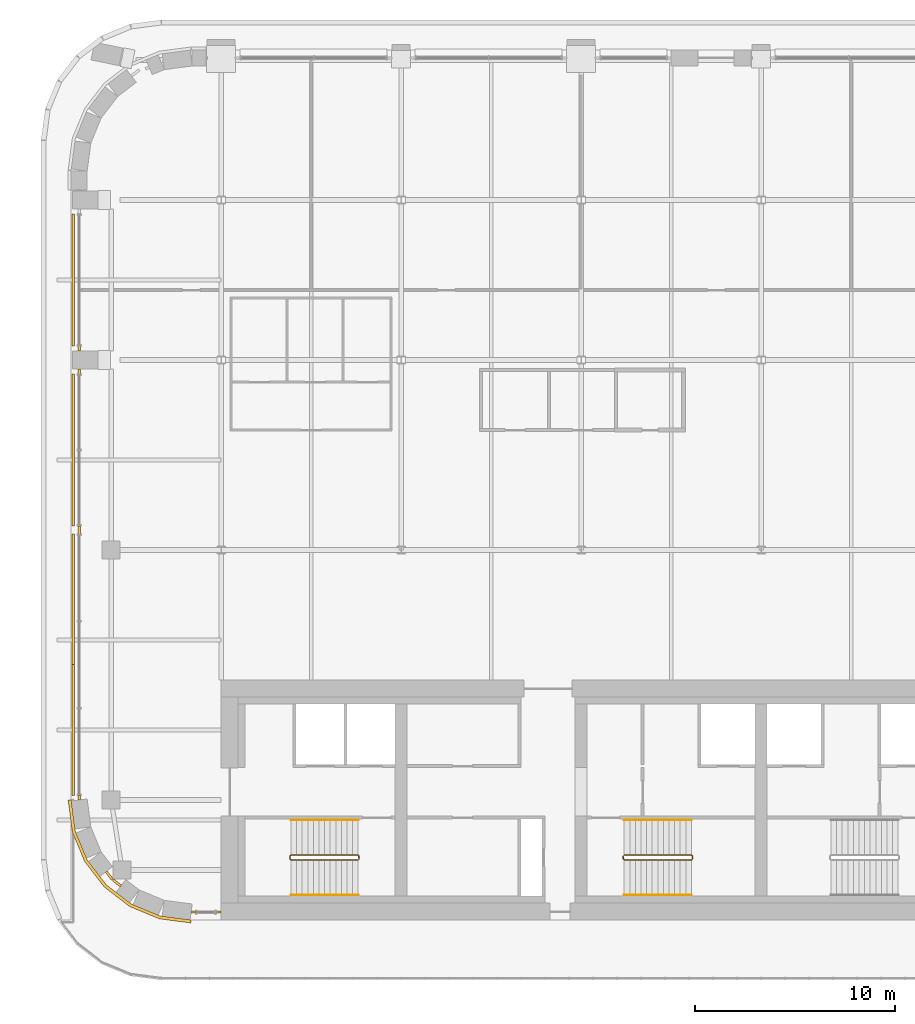
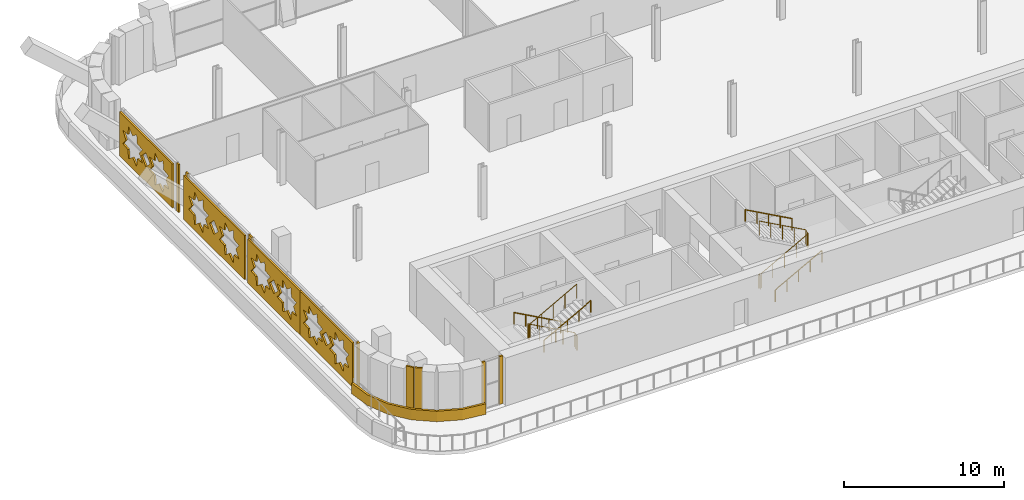
# One storey, part 17 of 23: 13 coverings, 6 railings.
"""IFC4 building model written with IfcOpenShell, lengths in metres."""

from ifc_helpers import new_model, si_unit, direction, frame, origin, origin_2d, place, context, subcontext, project, spatial, polyline, rectangle, circle, outline, extrude, material, layer, layer_set, type_object, element, save


model = new_model("IFC4")

# Units and contexts
model_context = context("Model", 3, precision=1e-05, world=origin(), true_north=direction((0.0, 1.0)))
body_context = subcontext(model_context, "Body", "Model", "MODEL_VIEW")
ifc_project = project(units=[si_unit("LENGTHUNIT", "METRE"), si_unit("AREAUNIT", "SQUARE_METRE"), si_unit("VOLUMEUNIT", "CUBIC_METRE"), si_unit("PLANEANGLEUNIT", "RADIAN"), si_unit("MASSUNIT", "GRAM", prefix="KILO")], contexts=[model_context])

# Site, building, storey
site_placement = place(None, origin())
site = spatial("IfcSite", under=ifc_project, at=site_placement, CompositionType="ELEMENT")
building_placement = place(site_placement, origin())
building = spatial("IfcBuilding", under=site, at=building_placement, Name="Zellij Exchange Tower", CompositionType="ELEMENT")
storey_placement = place(building_placement, frame((0.0, 0.0, 212.5)))
storey = spatial("IfcBuildingStorey", under=building, at=storey_placement, Name="L49", CompositionType="ELEMENT", Elevation=212.5)

# Railings
ifc_material_1 = material(Name="Stainless steel", Category="steel")
railing_type_1 = type_object("IfcRailingType", Name="CORE-RG stair guard", PredefinedType="GUARDRAIL", material=ifc_material_1)
railing_1_placement = place(storey_placement, frame((-20.10009765625, -10.800048828125, 0.0)))
element("IfcRailing", 1, at=railing_1_placement, inside=storey, type_object=railing_type_1, Name="ST1 stair guard L49", PredefinedType="GUARDRAIL", context=body_context, shape_type="SweptSolid", body=[
    extrude(circle(Radius=0.02392578125, at=origin_2d()), frame((0.0, 0.0, 1.076171875), z_axis=(0.0, -1.0, 0.0), x_axis=(1.0, 0.0, 0.0)), (0.0, 0.0, 1.0), 0.14990234375),
    extrude(circle(Radius=0.02392578125, at=origin_2d()), frame((0.0, -0.14990234375, 1.076171875), z_axis=(-0.193691321961, 0.777613689637, 0.598164376644), x_axis=(-0.970351222016, -0.241699205484, 0.0)), (0.0, 0.0, 1.0), 0.257080078125),
    extrude(circle(Radius=0.02392578125, at=origin_2d()), frame((-0.0498046875, 0.050048828125, 1.22998046875), z_axis=(-0.876421534553, 0.0, 0.481544695509), x_axis=(0.0, -1.0, 0.0)), (0.0, 0.0, 1.0), 3.833984375),
    extrude(circle(Radius=0.02392578125, at=origin_2d()), frame((-3.409912109375, 0.050048828125, 3.076171875), z_axis=(-0.707106781187, -0.707106781187, 0.0), x_axis=(0.707106781187, -0.707106781187, 0.0)), (0.0, 0.0, 1.0), 0.07080078125),
    extrude(circle(Radius=0.02392578125, at=origin_2d()), frame((-3.4599609375, 0.0, 3.076171875), z_axis=(0.0, -1.0, 0.0), x_axis=(1.0, 0.0, 0.0)), (0.0, 0.0, 1.0), 0.14990234375),
    extrude(circle(Radius=0.02392578125, at=origin_2d()), frame((-3.4599609375, -0.14990234375, 3.076171875), z_axis=(0.295599637079, -0.295599637079, 0.908428152975), x_axis=(0.707106781187, 0.707106781187, 0.0)), (0.0, 0.0, 1.0), 0.16943359375),
    extrude(circle(Radius=0.02392578125, at=origin_2d()), frame((-3.409912109375, -0.199951171875, 3.22998046875), z_axis=(0.876421534553, 0.0, 0.481544695509), x_axis=(0.0, 1.0, 0.0)), (0.0, 0.0, 1.0), 3.833984375),
    extrude(circle(Radius=0.02099609375, at=origin_2d()), origin(), (0.0, 0.0, 1.0), 1.052001953125),
    extrude(circle(Radius=0.02099609375, at=origin_2d()), frame((0.0, -0.14990234375, 0.0)), (0.0, 0.0, 1.0), 1.052001953125),
    extrude(circle(Radius=0.02099609375, at=origin_2d()), frame((-0.0498046875, 0.050048828125, 0.15380859375)), (0.0, 0.0, 1.0), 1.052001953125),
    extrude(circle(Radius=0.02099609375, at=origin_2d()), frame((-0.889892578125, 0.050048828125, 0.615234375)), (0.0, 0.0, 1.0), 1.052001953125),
    extrude(circle(Radius=0.02099609375, at=origin_2d()), frame((-1.72998046875, 0.050048828125, 1.076904296875)), (0.0, 0.0, 1.0), 1.052001953125),
    extrude(circle(Radius=0.02099609375, at=origin_2d()), frame((-2.56982421875, 0.050048828125, 1.53857421875)), (0.0, 0.0, 1.0), 1.052001953125),
    extrude(circle(Radius=0.02099609375, at=origin_2d()), frame((-3.409912109375, 0.050048828125, 2.0)), (0.0, 0.0, 1.0), 1.052001953125),
    extrude(circle(Radius=0.02099609375, at=origin_2d()), frame((-3.4599609375, 0.0, 2.0)), (0.0, 0.0, 1.0), 1.052001953125),
    extrude(circle(Radius=0.02099609375, at=origin_2d()), frame((-3.4599609375, -0.14990234375, 2.0)), (0.0, 0.0, 1.0), 1.052001953125),
    extrude(circle(Radius=0.02099609375, at=origin_2d()), frame((-3.409912109375, -0.199951171875, 2.15380859375)), (0.0, 0.0, 1.0), 1.052001953125),
    extrude(circle(Radius=0.02099609375, at=origin_2d()), frame((-2.56982421875, -0.199951171875, 2.615234375)), (0.0, 0.0, 1.0), 1.052001953125),
    extrude(circle(Radius=0.02099609375, at=origin_2d()), frame((-1.72998046875, -0.199951171875, 3.076904296875)), (0.0, 0.0, 1.0), 1.052001953125),
    extrude(circle(Radius=0.02099609375, at=origin_2d()), frame((-0.889892578125, -0.199951171875, 3.53857421875)), (0.0, 0.0, 1.0), 1.052001953125),
    extrude(circle(Radius=0.02099609375, at=origin_2d()), frame((-0.0498046875, -0.199951171875, 4.0)), (0.0, 0.0, 1.0), 1.052001953125),
])
railing_2_placement = place(storey_placement, frame((-6.89990234375, -10.949951171875, 0.0)))
element("IfcRailing", 2, at=railing_2_placement, inside=storey, type_object=railing_type_1, Name="ST2 stair guard L49", PredefinedType="GUARDRAIL", context=body_context, shape_type="SweptSolid", body=[
    extrude(circle(Radius=0.02392578125, at=origin_2d()), frame((0.0, 0.0, 1.076171875), z_axis=(0.0, 1.0, 0.0), x_axis=(-1.0, 0.0, 0.0)), (0.0, 0.0, 1.0), 0.14990234375),
    extrude(circle(Radius=0.02392578125, at=origin_2d()), frame((0.0, 0.14990234375, 1.076171875), z_axis=(0.193691321961, -0.777613689637, 0.598164376644), x_axis=(0.970351222016, 0.241699205484, 0.0)), (0.0, 0.0, 1.0), 0.257080078125),
    extrude(circle(Radius=0.02392578125, at=origin_2d()), frame((0.0498046875, -0.050048828125, 1.22998046875), z_axis=(0.876421534553, 0.0, 0.481544695509), x_axis=(0.0, 1.0, 0.0)), (0.0, 0.0, 1.0), 3.833984375),
    extrude(circle(Radius=0.02392578125, at=origin_2d()), frame((3.409912109375, -0.050048828125, 3.076171875), z_axis=(0.707106781187, 0.707106781187, 0.0), x_axis=(-0.707106781187, 0.707106781187, 0.0)), (0.0, 0.0, 1.0), 0.07080078125),
    extrude(circle(Radius=0.02392578125, at=origin_2d()), frame((3.4599609375, 0.0, 3.076171875), z_axis=(0.0, 1.0, 0.0), x_axis=(-1.0, 0.0, 0.0)), (0.0, 0.0, 1.0), 0.14990234375),
    extrude(circle(Radius=0.02392578125, at=origin_2d()), frame((3.4599609375, 0.14990234375, 3.076171875), z_axis=(-0.295599637079, 0.295599637079, 0.908428152975), x_axis=(-0.707106781187, -0.707106781187, 0.0)), (0.0, 0.0, 1.0), 0.16943359375),
    extrude(circle(Radius=0.02392578125, at=origin_2d()), frame((3.409912109375, 0.199951171875, 3.22998046875), z_axis=(-0.876421534553, 0.0, 0.481544695509), x_axis=(0.0, -1.0, 0.0)), (0.0, 0.0, 1.0), 3.833984375),
    extrude(circle(Radius=0.02099609375, at=origin_2d()), origin(), (0.0, 0.0, 1.0), 1.052001953125),
    extrude(circle(Radius=0.02099609375, at=origin_2d()), frame((0.0, 0.14990234375, 0.0)), (0.0, 0.0, 1.0), 1.052001953125),
    extrude(circle(Radius=0.02099609375, at=origin_2d()), frame((0.0498046875, -0.050048828125, 0.15380859375)), (0.0, 0.0, 1.0), 1.052001953125),
    extrude(circle(Radius=0.02099609375, at=origin_2d()), frame((0.889892578125, -0.050048828125, 0.615234375)), (0.0, 0.0, 1.0), 1.052001953125),
    extrude(circle(Radius=0.02099609375, at=origin_2d()), frame((1.72998046875, -0.050048828125, 1.076904296875)), (0.0, 0.0, 1.0), 1.052001953125),
    extrude(circle(Radius=0.02099609375, at=origin_2d()), frame((2.56982421875, -0.050048828125, 1.53857421875)), (0.0, 0.0, 1.0), 1.052001953125),
    extrude(circle(Radius=0.02099609375, at=origin_2d()), frame((3.409912109375, -0.050048828125, 2.0)), (0.0, 0.0, 1.0), 1.052001953125),
    extrude(circle(Radius=0.02099609375, at=origin_2d()), frame((3.4599609375, 0.0, 2.0)), (0.0, 0.0, 1.0), 1.052001953125),
    extrude(circle(Radius=0.02099609375, at=origin_2d()), frame((3.4599609375, 0.14990234375, 2.0)), (0.0, 0.0, 1.0), 1.052001953125),
    extrude(circle(Radius=0.02099609375, at=origin_2d()), frame((3.409912109375, 0.199951171875, 2.15380859375)), (0.0, 0.0, 1.0), 1.052001953125),
    extrude(circle(Radius=0.02099609375, at=origin_2d()), frame((2.56982421875, 0.199951171875, 2.615234375)), (0.0, 0.0, 1.0), 1.052001953125),
    extrude(circle(Radius=0.02099609375, at=origin_2d()), frame((1.72998046875, 0.199951171875, 3.076904296875)), (0.0, 0.0, 1.0), 1.052001953125),
    extrude(circle(Radius=0.02099609375, at=origin_2d()), frame((0.889892578125, 0.199951171875, 3.53857421875)), (0.0, 0.0, 1.0), 1.052001953125),
    extrude(circle(Radius=0.02099609375, at=origin_2d()), frame((0.0498046875, 0.199951171875, 4.0)), (0.0, 0.0, 1.0), 1.052001953125),
])
railing_type_2 = type_object("IfcRailingType", Name="CORE-RH stair handrail", PredefinedType="HANDRAIL", material=ifc_material_1)
railing_3_placement = place(storey_placement, frame((-20.14990234375, -9.0, 0.15380859375)))
element("IfcRailing", 3, at=railing_3_placement, inside=storey, type_object=railing_type_2, Name="ST1 stair handrail L49", PredefinedType="HANDRAIL", context=body_context, shape_type="SweptSolid", body=[
    extrude(circle(Radius=0.02392578125, at=origin_2d()), frame((0.0, 0.0, 0.8759765625), z_axis=(-0.876421534553, 0.0, 0.481544695509), x_axis=(0.0, -1.0, 0.0)), (0.0, 0.0, 1.0), 3.833984375),
    extrude(circle(Radius=0.02099609375, at=origin_2d()), origin(), (0.0, 0.0, 1.0), 0.851806640625),
    extrude(circle(Radius=0.02099609375, at=origin_2d()), frame((-0.840087890625, 0.0, 0.46142578125)), (0.0, 0.0, 1.0), 0.851806640625),
    extrude(circle(Radius=0.02099609375, at=origin_2d()), frame((-1.68017578125, 0.0, 0.923095703125)), (0.0, 0.0, 1.0), 0.851806640625),
    extrude(circle(Radius=0.02099609375, at=origin_2d()), frame((-2.52001953125, 0.0, 1.384765625)), (0.0, 0.0, 1.0), 0.851806640625),
    extrude(circle(Radius=0.02099609375, at=origin_2d()), frame((-3.360107421875, 0.0, 1.84619140625)), (0.0, 0.0, 1.0), 0.851806640625),
])
for number, where, name in (
    (4, (-23.510009765625, -12.75, 2.15380859375), "ST1 stair handrail L49"),
    (5, (-6.85009765625, -12.75, 0.15380859375), "ST2 stair handrail L49"),
):
    element("IfcRailing", number, at=place(storey_placement, frame(where)), inside=storey, type_object=railing_type_2, Name=name, PredefinedType="HANDRAIL", context=body_context, shape_type="SweptSolid", body=[
        extrude(circle(Radius=0.02392578125, at=origin_2d()), frame((0.0, 0.0, 0.8759765625), z_axis=(0.876421534553, 0.0, 0.481544695509), x_axis=(0.0, 1.0, 0.0)), (0.0, 0.0, 1.0), 3.833984375),
        extrude(circle(Radius=0.02099609375, at=origin_2d()), origin(), (0.0, 0.0, 1.0), 0.851806640625),
        extrude(circle(Radius=0.02099609375, at=origin_2d()), frame((0.840087890625, 0.0, 0.46142578125)), (0.0, 0.0, 1.0), 0.851806640625),
        extrude(circle(Radius=0.02099609375, at=origin_2d()), frame((1.68017578125, 0.0, 0.923095703125)), (0.0, 0.0, 1.0), 0.851806640625),
        extrude(circle(Radius=0.02099609375, at=origin_2d()), frame((2.52001953125, 0.0, 1.384765625)), (0.0, 0.0, 1.0), 0.851806640625),
        extrude(circle(Radius=0.02099609375, at=origin_2d()), frame((3.360107421875, 0.0, 1.84619140625)), (0.0, 0.0, 1.0), 0.851806640625),
    ])
railing_4_placement = place(storey_placement, frame((-3.489990234375, -9.0, 2.15380859375)))
element("IfcRailing", 6, at=railing_4_placement, inside=storey, type_object=railing_type_2, Name="ST2 stair handrail L49", PredefinedType="HANDRAIL", context=body_context, shape_type="SweptSolid", body=[
    extrude(circle(Radius=0.02392578125, at=origin_2d()), frame((0.0, 0.0, 0.8759765625), z_axis=(-0.876421534553, 0.0, 0.481544695509), x_axis=(0.0, -1.0, 0.0)), (0.0, 0.0, 1.0), 3.833984375),
    extrude(circle(Radius=0.02099609375, at=origin_2d()), origin(), (0.0, 0.0, 1.0), 0.851806640625),
    extrude(circle(Radius=0.02099609375, at=origin_2d()), frame((-0.840087890625, 0.0, 0.46142578125)), (0.0, 0.0, 1.0), 0.851806640625),
    extrude(circle(Radius=0.02099609375, at=origin_2d()), frame((-1.68017578125, 0.0, 0.923095703125)), (0.0, 0.0, 1.0), 0.851806640625),
    extrude(circle(Radius=0.02099609375, at=origin_2d()), frame((-2.52001953125, 0.0, 1.384765625)), (0.0, 0.0, 1.0), 0.851806640625),
    extrude(circle(Radius=0.02099609375, at=origin_2d()), frame((-3.360107421875, 0.0, 1.84619140625)), (0.0, 0.0, 1.0), 0.851806640625),
])

# Coverings
ifc_material_2 = material(Name="Limestone cladding", Category="masonry")
ifc_layer_1 = layer(ifc_material_2, 0.14990234375)
ifc_layer_set_1 = layer_set([ifc_layer_1], Name="Limestone cladding")
covering_type_1 = type_object("IfcCoveringType", Name="ENV-CV1 Stone spandrel band 150", PredefinedType="CLADDING", material=ifc_layer_set_1)
covering_1_placement = place(storey_placement, origin())
element("IfcCovering", 7, at=covering_1_placement, inside=storey, type_object=covering_type_1, Name="Stone spandrel band", PredefinedType="CLADDING", context=body_context, shape_type="SweptSolid", body=[
    extrude(outline(polyline([(-34.5, -8.0), (-34.295654296875, -9.552978515625), (-33.6962890625, -11.0), (-32.74267578125, -12.24267578125), (-31.5, -13.1962890625), (-30.052978515625, -13.795654296875), (-28.5, -14.0), (-28.509765625, -14.14990234375), (-30.092041015625, -13.941650390625), (-31.57568359375, -13.3271484375), (-32.849609375, -12.349609375), (-33.8271484375, -11.07568359375), (-34.441650390625, -9.592041015625), (-34.64990234375, -8.009765625), (-34.5, -8.0)])), origin(), (0.0, 0.0, 1.0), 0.800048828125),
])
ifc_layer_2 = layer(ifc_material_2, 0.1201171875)
ifc_layer_set_2 = layer_set([ifc_layer_2], Name="Limestone cladding")
covering_type_2 = type_object("IfcCoveringType", Name="ENV-CV18 Glazing closer 120", PredefinedType="CLADDING", material=ifc_layer_set_2)
for number, where, z_axis, x_axis, name in (
    (8, (-32.59765625, -11.7744140625, 0.0), (0.0, 0.0, 1.0), (0.608809891071, -0.793316151692, 0.0), "Glazing closer"),
    (9, (-32.209228515625, -12.147705078125, 0.0), (0.0, 0.0, 1.0), (-0.793316151692, 0.608809891071, 0.0), "Glazing closer"),
):
    element("IfcCovering", number, at=place(storey_placement, frame(where, z_axis=z_axis, x_axis=x_axis)), inside=storey, type_object=covering_type_2, Name=name, PredefinedType="CLADDING", context=body_context, shape_type="SweptSolid", body=[
        extrude(rectangle(XDim=0.492919921875, YDim=0.1201171875, at=origin_2d()), origin(), (0.0, 0.0, 1.0), 3.64990234375),
    ])
covering_2_placement = place(storey_placement, frame((-34.10009765625, 5.50390625, 0.0), z_axis=(0.0, 0.0, 1.0), x_axis=(0.0, -1.0, 0.0)))
element("IfcCovering", 10, at=covering_2_placement, inside=storey, type_object=covering_type_2, Name="Glazing closer", PredefinedType="CLADDING", context=body_context, shape_type="SweptSolid", body=[
    extrude(rectangle(XDim=0.39990234375, YDim=0.1201171875, at=origin_2d()), origin(), (0.0, 0.0, 1.0), 3.64990234375),
])
for number, where, z_axis, x_axis, name in (
    (11, (-34.10009765625, 14.574951171875, 0.0), (0.0, 0.0, 1.0), (0.0, -1.0, 0.0), "Glazing closer"),
    (12, (-34.10009765625, 13.425048828125, 0.0), (0.0, 0.0, 1.0), (0.0, 1.0, 0.0), "Glazing closer"),
    (13, (-27.125, -13.60009765625, 0.0), (0.0, 0.0, 1.0), (1.0, 0.0, 0.0), "Glazing closer"),
):
    element("IfcCovering", number, at=place(storey_placement, frame(where, z_axis=z_axis, x_axis=x_axis)), inside=storey, type_object=covering_type_2, Name=name, PredefinedType="CLADDING", context=body_context, shape_type="SweptSolid", body=[
        extrude(rectangle(XDim=0.25, YDim=0.1201171875, at=origin_2d()), origin(), (0.0, 0.0, 1.0), 3.64990234375),
    ])
for number, where, z_axis, x_axis, name in (
    (14, (-28.383056640625, -13.60009765625, 0.0), (0.0, 0.0, 1.0), (-1.0, 0.0, 0.0), "Glazing closer"),
    (15, (-34.10009765625, -7.883056640625, 0.0), (0.0, 0.0, 1.0), (0.0, -1.0, 0.0), "Glazing closer"),
):
    element("IfcCovering", number, at=place(storey_placement, frame(where, z_axis=z_axis, x_axis=x_axis)), inside=storey, type_object=covering_type_2, Name=name, PredefinedType="CLADDING", context=body_context, shape_type="SweptSolid", body=[
        extrude(rectangle(XDim=0.218505859375, YDim=0.1201171875, at=origin_2d()), origin(), (0.0, 0.0, 1.0), 3.64990234375),
    ])
ifc_material_3 = material(Name="Limestone screen", Category="masonry")
ifc_layer_3 = layer(ifc_material_3, 0.1201171875)
ifc_layer_set_3 = layer_set([ifc_layer_3], Name="Limestone screen")
covering_type_3 = type_object("IfcCoveringType", Name="ENV-SC1 Pierced stone screen 120", PredefinedType="USERDEFINED", material=ifc_layer_set_3)
covering_3_placement = place(storey_placement, frame((-34.39990234375, 21.300048828125, 0.300048828125), z_axis=(0.0, 0.0, 1.0), x_axis=(0.0, -1.0, 0.0)))
element("IfcCovering", 16, at=covering_3_placement, inside=storey, type_object=covering_type_3, Name="Pierced stone screen", ObjectType="SCREEN", PredefinedType="USERDEFINED", context=body_context, shape_type="SweptSolid", body=[
    extrude(outline(polyline([(0.0, 0.0), (6.60009765625, 0.0), (6.60009765625, 3.35009765625), (0.0, 3.35009765625), (0.0, 0.0)]), holes=[polyline([(2.869384765625, 2.18017578125), (2.228759765625, 2.253662109375), (2.155029296875, 2.89453125), (1.64990234375, 2.493408203125), (1.14501953125, 2.89453125), (1.0712890625, 2.253662109375), (0.430419921875, 2.18017578125), (0.83154296875, 1.675048828125), (0.430419921875, 1.169921875), (1.0712890625, 1.09619140625), (1.14501953125, 0.45556640625), (1.64990234375, 0.856689453125), (2.155029296875, 0.45556640625), (2.228759765625, 1.09619140625), (2.869384765625, 1.169921875), (2.468505859375, 1.675048828125), (2.869384765625, 2.18017578125)]), polyline([(6.16943359375, 2.18017578125), (5.52880859375, 2.253662109375), (5.455078125, 2.89453125), (4.949951171875, 2.493408203125), (4.44482421875, 2.89453125), (4.371337890625, 2.253662109375), (3.73046875, 2.18017578125), (4.131591796875, 1.675048828125), (3.73046875, 1.169921875), (4.371337890625, 1.09619140625), (4.44482421875, 0.45556640625), (4.949951171875, 0.856689453125), (5.455078125, 0.45556640625), (5.52880859375, 1.09619140625), (6.16943359375, 1.169921875), (5.768310546875, 1.675048828125), (6.16943359375, 2.18017578125)]), polyline([(3.827880859375, 1.675048828125), (3.300048828125, 2.202880859375), (2.77197265625, 1.675048828125), (3.300048828125, 1.14697265625), (3.827880859375, 1.675048828125)])]), frame((0.0, 0.06005859375, 0.0), z_axis=(0.0, -1.0, 0.0), x_axis=(1.0, 0.0, 0.0)), (0.0, 0.0, 1.0), 0.1201171875),
])
covering_4_placement = place(storey_placement, frame((-34.39990234375, 13.300048828125, 0.300048828125), z_axis=(0.0, 0.0, 1.0), x_axis=(0.0, -1.0, 0.0)))
element("IfcCovering", 17, at=covering_4_placement, inside=storey, type_object=covering_type_3, Name="Pierced stone screen", ObjectType="SCREEN", PredefinedType="USERDEFINED", context=body_context, shape_type="SweptSolid", body=[
    extrude(outline(polyline([(0.0, 0.0), (7.59619140625, 0.0), (7.59619140625, 3.35009765625), (0.0, 3.35009765625), (0.0, 0.0)]), holes=[polyline([(3.13720703125, 2.187744140625), (2.486572265625, 2.262451171875), (2.411865234375, 2.9130859375), (1.899169921875, 2.505859375), (1.38623046875, 2.9130859375), (1.3115234375, 2.262451171875), (0.6611328125, 2.187744140625), (1.068359375, 1.675048828125), (0.6611328125, 1.162109375), (1.3115234375, 1.08740234375), (1.38623046875, 0.43701171875), (1.899169921875, 0.84423828125), (2.411865234375, 0.43701171875), (2.486572265625, 1.08740234375), (3.13720703125, 1.162109375), (2.72998046875, 1.675048828125), (3.13720703125, 2.187744140625)]), polyline([(6.935302734375, 2.187744140625), (6.28466796875, 2.262451171875), (6.2099609375, 2.9130859375), (5.697265625, 2.505859375), (5.184326171875, 2.9130859375), (5.109619140625, 2.262451171875), (4.459228515625, 2.187744140625), (4.866455078125, 1.675048828125), (4.459228515625, 1.162109375), (5.109619140625, 1.08740234375), (5.184326171875, 0.43701171875), (5.697265625, 0.84423828125), (6.2099609375, 0.43701171875), (6.28466796875, 1.08740234375), (6.935302734375, 1.162109375), (6.528076171875, 1.675048828125), (6.935302734375, 2.187744140625)]), polyline([(4.333984375, 1.675048828125), (3.798095703125, 2.2109375), (3.26220703125, 1.675048828125), (3.798095703125, 1.138916015625), (4.333984375, 1.675048828125)])]), frame((0.0, 0.06005859375, 0.0), z_axis=(0.0, -1.0, 0.0), x_axis=(1.0, 0.0, 0.0)), (0.0, 0.0, 1.0), 0.1201171875),
])
for number, where, z_axis, x_axis, name in (
    (18, (-34.39990234375, 5.3037109375, 0.300048828125), (0.0, 0.0, 1.0), (0.0, -1.0, 0.0), "Pierced stone screen"),
    (19, (-34.39990234375, -1.235107421875, 0.300048828125), (0.0, 0.0, 1.0), (0.0, -1.0, 0.0), "Pierced stone screen"),
):
    element("IfcCovering", number, at=place(storey_placement, frame(where, z_axis=z_axis, x_axis=x_axis)), inside=storey, type_object=covering_type_3, Name=name, ObjectType="SCREEN", PredefinedType="USERDEFINED", context=body_context, shape_type="SweptSolid", body=[
        extrude(outline(polyline([(0.0, 0.0), (6.538818359375, 0.0), (6.538818359375, 3.35009765625), (0.0, 3.35009765625), (0.0, 0.0)]), holes=[polyline([(2.843017578125, 2.175537109375), (2.2080078125, 2.248291015625), (2.13525390625, 2.88330078125), (1.634765625, 2.48583984375), (1.13427734375, 2.88330078125), (1.061279296875, 2.248291015625), (0.426513671875, 2.175537109375), (0.823974609375, 1.675048828125), (0.426513671875, 1.174560546875), (1.061279296875, 1.101806640625), (1.13427734375, 0.466796875), (1.634765625, 0.8642578125), (2.13525390625, 0.466796875), (2.2080078125, 1.101806640625), (2.843017578125, 1.174560546875), (2.445556640625, 1.675048828125), (2.843017578125, 2.175537109375)]), polyline([(6.1123046875, 2.175537109375), (5.477294921875, 2.248291015625), (5.404541015625, 2.88330078125), (4.904052734375, 2.48583984375), (4.403564453125, 2.88330078125), (4.330810546875, 2.248291015625), (3.69580078125, 2.175537109375), (4.09326171875, 1.675048828125), (3.69580078125, 1.174560546875), (4.330810546875, 1.101806640625), (4.403564453125, 0.466796875), (4.904052734375, 0.8642578125), (5.404541015625, 0.466796875), (5.477294921875, 1.101806640625), (6.1123046875, 1.174560546875), (5.71484375, 1.675048828125), (6.1123046875, 2.175537109375)]), polyline([(3.79248046875, 1.675048828125), (3.269287109375, 2.197998046875), (2.746337890625, 1.675048828125), (3.269287109375, 1.15185546875), (3.79248046875, 1.675048828125)])]), frame((0.0, 0.06005859375, 0.0), z_axis=(0.0, -1.0, 0.0), x_axis=(1.0, 0.0, 0.0)), (0.0, 0.0, 1.0), 0.1201171875),
    ])

save(model, "model.ifc")
